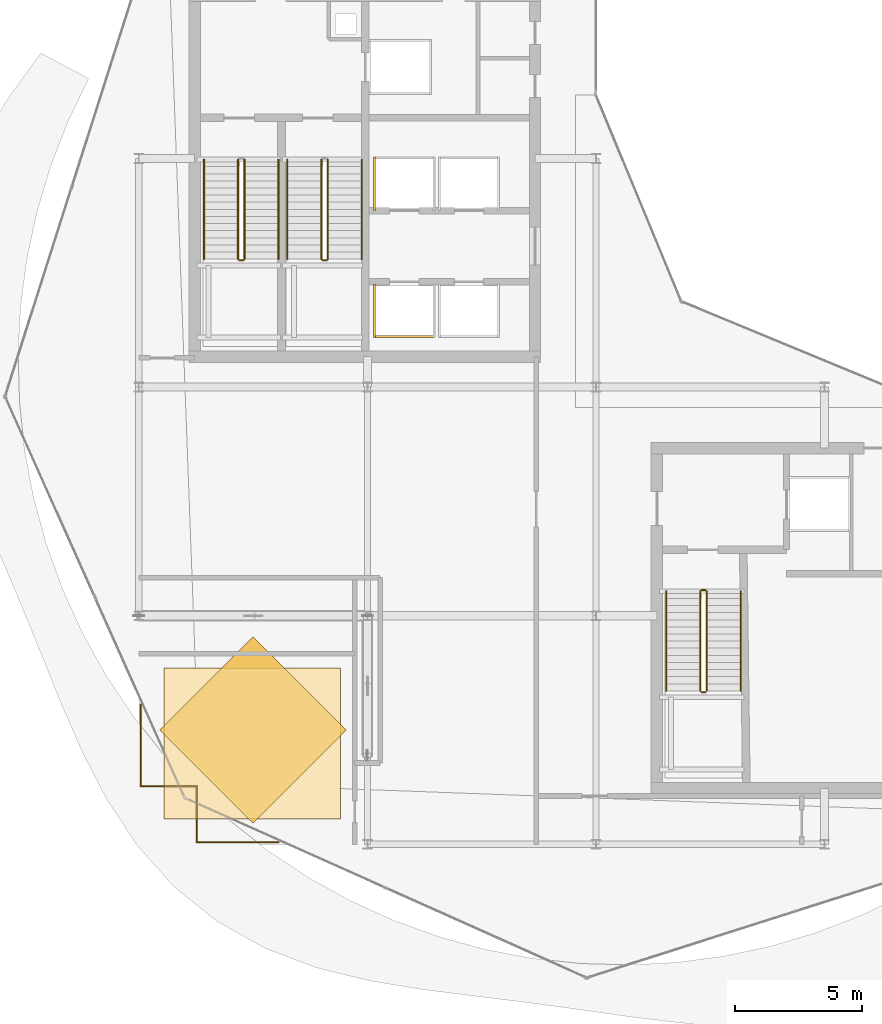
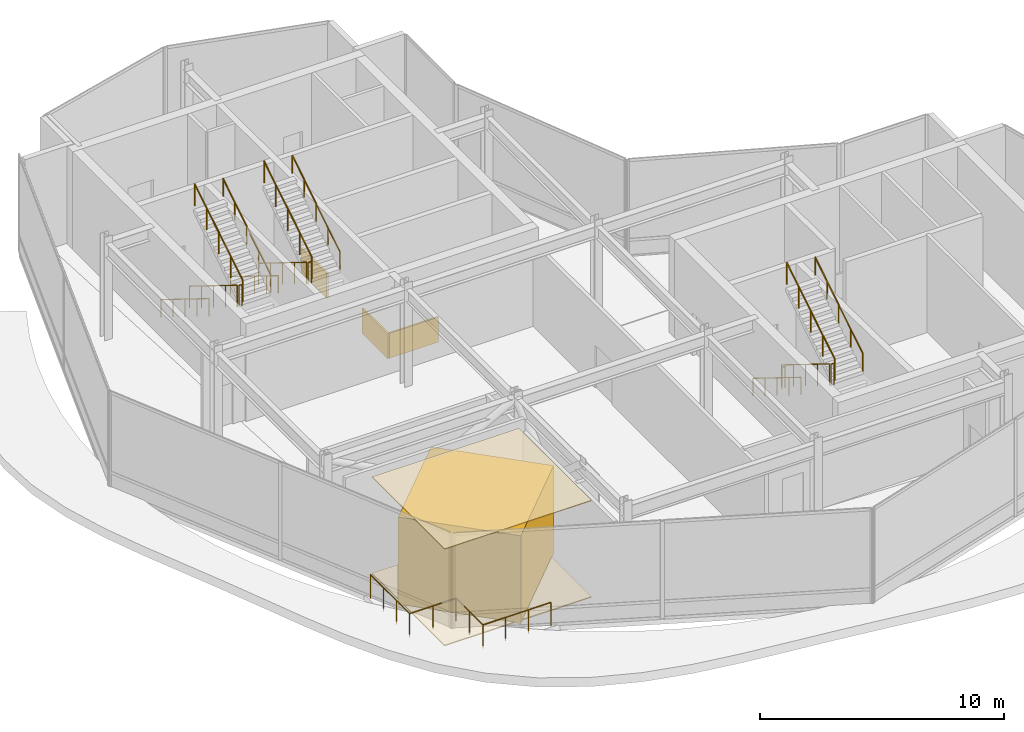
# One storey, part 19 of 21: 20 railings, 6 coverings.
"""IFC4 building model written with IfcOpenShell, lengths in metres."""

from ifc_helpers import new_model, si_unit, direction, frame, origin, origin_2d, place, context, subcontext, project, spatial, polyline, rectangle, circle, outline, extrude, material, layer, layer_set, type_object, element, save


model = new_model("IFC4")

# Units and contexts
model_context = context("Model", 3, precision=1e-05, world=origin(), true_north=direction((0.0, 1.0)))
body_context = subcontext(model_context, "Body", "Model", "MODEL_VIEW")
ifc_project = project(units=[si_unit("LENGTHUNIT", "METRE"), si_unit("AREAUNIT", "SQUARE_METRE"), si_unit("VOLUMEUNIT", "CUBIC_METRE"), si_unit("PLANEANGLEUNIT", "RADIAN"), si_unit("MASSUNIT", "GRAM", prefix="KILO")], contexts=[model_context])

# Site, building, storey
site_placement = place(None, origin())
site = spatial("IfcSite", under=ifc_project, at=site_placement, CompositionType="ELEMENT")
building_placement = place(site_placement, origin())
building = spatial("IfcBuilding", under=site, at=building_placement, Name="Solvaryn Broadcast Tower", CompositionType="ELEMENT")
storey_placement = place(building_placement, frame((0.0, 0.0, 297.39990234375)))
storey = spatial("IfcBuildingStorey", under=building, at=storey_placement, Name="L75", CompositionType="ELEMENT", Elevation=297.39990234375)

# Coverings
ifc_material_1 = material(Name="Micro-Perforated Acoustic Gypsum Ceiling", Category="concrete")
ifc_layer_1 = layer(ifc_material_1, 0.0400390625)
ifc_layer_set_1 = layer_set([ifc_layer_1], Name="CV-CEIL-ACOUSTIC")
covering_type_1 = type_object("IfcCoveringType", Name="CV-CEIL-ACOUSTIC", PredefinedType="CEILING", material=ifc_layer_set_1)
covering_1_placement = place(storey_placement, frame((0.0, 0.0, 4.830078125)))
element("IfcCovering", 1, at=covering_1_placement, inside=storey, type_object=covering_type_1, Name="L75 Room Acoustic Ceiling 1", PredefinedType="CEILING", context=body_context, shape_type="SweptSolid", body=[
    extrude(outline(polyline([(10.0, 10.0), (16.949951171875, 10.0), (16.949951171875, 15.949951171875), (10.0, 15.949951171875), (10.0, 10.0)])), origin(), (0.0, 0.0, 1.0), 0.0400390625),
])
ifc_material_2 = material(Name="Newsroom Raised Data Access Flooring", Category="steel")
ifc_layer_2 = layer(ifc_material_2, 0.050048828125)
ifc_layer_set_2 = layer_set([ifc_layer_2], Name="CV-FLOOR-RAISED")
covering_type_2 = type_object("IfcCoveringType", Name="CV-FLOOR-RAISED", PredefinedType="FLOORING", material=ifc_layer_set_2)
covering_2_placement = place(storey_placement, origin())
element("IfcCovering", 2, at=covering_2_placement, inside=storey, type_object=covering_type_2, Name="L75 Room Acoustic Floor Finish 1", PredefinedType="FLOORING", context=body_context, shape_type="SweptSolid", body=[
    extrude(outline(polyline([(10.0, 10.0), (16.949951171875, 10.0), (16.949951171875, 15.949951171875), (10.0, 15.949951171875), (10.0, 10.0)])), origin(), (0.0, 0.0, 1.0), 0.050048828125),
])
ifc_material_3 = material(Name="Fire-Rated Gypsum Shaftwall Liner", Category="concrete")
ifc_layer_3 = layer(ifc_material_3, 0.080078125)
ifc_layer_set_3 = layer_set([ifc_layer_3], Name="CV-SHAFT-LINER")
covering_type_3 = type_object("IfcCoveringType", Name="CV-SHAFT-LINER", PredefinedType="CLADDING", material=ifc_layer_set_3)
covering_3_placement = place(storey_placement, frame((19.449951171875, 28.985107421875, 0.0), z_axis=(0.0, 0.0, 1.0), x_axis=(1.0, 0.0, 0.0)))
element("IfcCovering", 3, at=covering_3_placement, inside=storey, type_object=covering_type_3, Name="L75 PH1 Hoistway Shaft Liner South", PredefinedType="CLADDING", context=body_context, shape_type="SweptSolid", body=[
    extrude(rectangle(XDim=2.409912109375, YDim=0.080078125, at=origin_2d()), origin(), (0.0, 0.0, 1.0), 1.25),
])
for number, where, z_axis, x_axis, name in (
    (4, (18.284912109375, 30.0, 0.0), (0.0, 0.0, 1.0), (1.0, 0.0, 0.0), "L75 PH1 Hoistway Shaft Liner West"),
    (5, (18.284912109375, 35.0, 0.0), (0.0, 0.0, 1.0), (1.0, 0.0, 0.0), "L75 PH3 Hoistway Shaft Liner West"),
):
    element("IfcCovering", number, at=place(storey_placement, frame(where, z_axis=z_axis, x_axis=x_axis)), inside=storey, type_object=covering_type_3, Name=name, PredefinedType="CLADDING", context=body_context, shape_type="SweptSolid", body=[
        extrude(rectangle(XDim=0.080078125, YDim=2.110107421875, at=origin_2d()), origin(), (0.0, 0.0, 1.0), 1.25),
    ])
ifc_material_4 = material(Name="Glazed Architectural Terracotta Rainscreen Cladding", Category="masonry")
ifc_layer_4 = layer(ifc_material_4, 0.280029296875)
ifc_layer_set_4 = layer_set([ifc_layer_4], Name="CV-TC-CLAD")
covering_type_4 = type_object("IfcCoveringType", Name="CV-TC-CLAD", PredefinedType="CLADDING", material=ifc_layer_set_4)
covering_4_placement = place(storey_placement, frame((13.5, 13.5, 0.000244140625), z_axis=(0.0, 0.0, 1.0), x_axis=(0.707106781187, 0.707106781187, 0.0)))
element("IfcCovering", 6, at=covering_4_placement, inside=storey, type_object=covering_type_4, Name="L75 Sculpted Tuned Mass Damper Block", PredefinedType="CLADDING", context=body_context, shape_type="SweptSolid", body=[
    extrude(rectangle(XDim=5.199951171875, YDim=5.199951171875, at=origin_2d()), origin(), (0.0, 0.0, 1.0), 4.39990234375),
])

# Railings
ifc_material_5 = material(Name="Stainless Steel and Laminated Glass Guard", Category="steel")
railing_type_1 = type_object("IfcRailingType", Name="RL-SKYG-1200", PredefinedType="BALUSTRADE", material=ifc_material_5)
railing_1_placement = place(storey_placement, frame((9.080078125, 14.5, 0.0)))
element("IfcRailing", 7, at=railing_1_placement, inside=storey, type_object=railing_type_1, Name="L75 Upper SW Corner Balustrade 1", PredefinedType="BALUSTRADE", context=body_context, shape_type="SweptSolid", body=[
    extrude(circle(Radius=0.02392578125, at=origin_2d()), frame((0.0, 0.0, 1.17578125), z_axis=(0.0, -1.0, 0.0), x_axis=(1.0, 0.0, 0.0)), (0.0, 0.0, 1.0), 3.219970703125),
    extrude(circle(Radius=0.02099609375, at=origin_2d()), origin(), (0.0, 0.0, 1.0), 1.15185546875),
    extrude(circle(Radius=0.02099609375, at=origin_2d()), frame((0.0, -1.0732421875, 0.0)), (0.0, 0.0, 1.0), 1.15185546875),
    extrude(circle(Radius=0.02099609375, at=origin_2d()), frame((0.0, -2.146728515625, 0.0)), (0.0, 0.0, 1.0), 1.15185546875),
    extrude(circle(Radius=0.02099609375, at=origin_2d()), frame((0.0, -3.219970703125, 0.0)), (0.0, 0.0, 1.0), 1.15185546875),
])
railing_2_placement = place(storey_placement, frame((9.080078125, 11.280029296875, 0.0)))
element("IfcRailing", 8, at=railing_2_placement, inside=storey, type_object=railing_type_1, Name="L75 Upper SW Corner Balustrade 2", PredefinedType="BALUSTRADE", context=body_context, shape_type="SweptSolid", body=[
    extrude(circle(Radius=0.02392578125, at=origin_2d()), frame((0.0, 0.0, 1.17578125), z_axis=(1.0, 0.0, 0.0), x_axis=(0.0, 1.0, 0.0)), (0.0, 0.0, 1.0), 2.199951171875),
    extrude(circle(Radius=0.02099609375, at=origin_2d()), origin(), (0.0, 0.0, 1.0), 1.15185546875),
    extrude(circle(Radius=0.02099609375, at=origin_2d()), frame((1.10009765625, 0.0, 0.0)), (0.0, 0.0, 1.0), 1.15185546875),
    extrude(circle(Radius=0.02099609375, at=origin_2d()), frame((2.199951171875, 0.0, 0.0)), (0.0, 0.0, 1.0), 1.15185546875),
])
railing_3_placement = place(storey_placement, frame((11.280029296875, 11.280029296875, 0.0)))
element("IfcRailing", 9, at=railing_3_placement, inside=storey, type_object=railing_type_1, Name="L75 Upper SW Corner Balustrade 3", PredefinedType="BALUSTRADE", context=body_context, shape_type="SweptSolid", body=[
    extrude(circle(Radius=0.02392578125, at=origin_2d()), frame((0.0, 0.0, 1.17578125), z_axis=(0.0, -1.0, 0.0), x_axis=(1.0, 0.0, 0.0)), (0.0, 0.0, 1.0), 2.199951171875),
    extrude(circle(Radius=0.02099609375, at=origin_2d()), origin(), (0.0, 0.0, 1.0), 1.15185546875),
    extrude(circle(Radius=0.02099609375, at=origin_2d()), frame((0.0, -1.10009765625, 0.0)), (0.0, 0.0, 1.0), 1.15185546875),
    extrude(circle(Radius=0.02099609375, at=origin_2d()), frame((0.0, -2.199951171875, 0.0)), (0.0, 0.0, 1.0), 1.15185546875),
])
railing_4_placement = place(storey_placement, frame((11.280029296875, 9.080078125, 0.0)))
element("IfcRailing", 10, at=railing_4_placement, inside=storey, type_object=railing_type_1, Name="L75 Upper SW Corner Balustrade 4", PredefinedType="BALUSTRADE", context=body_context, shape_type="SweptSolid", body=[
    extrude(circle(Radius=0.02392578125, at=origin_2d()), frame((0.0, 0.0, 1.17578125), z_axis=(1.0, 0.0, 0.0), x_axis=(0.0, 1.0, 0.0)), (0.0, 0.0, 1.0), 3.219970703125),
    extrude(circle(Radius=0.02099609375, at=origin_2d()), origin(), (0.0, 0.0, 1.0), 1.15185546875),
    extrude(circle(Radius=0.02099609375, at=origin_2d()), frame((1.0732421875, 0.0, 0.0)), (0.0, 0.0, 1.0), 1.15185546875),
    extrude(circle(Radius=0.02099609375, at=origin_2d()), frame((2.146728515625, 0.0, 0.0)), (0.0, 0.0, 1.0), 1.15185546875),
    extrude(circle(Radius=0.02099609375, at=origin_2d()), frame((3.219970703125, 0.0, 0.0)), (0.0, 0.0, 1.0), 1.15185546875),
])
ifc_material_6 = material(Name="Painted Steel Stair Well Guard", Category="steel")
railing_type_2 = type_object("IfcRailingType", Name="RL-STAIR-GUARD", PredefinedType="BALUSTRADE", material=ifc_material_6)
railing_5_placement = place(storey_placement, frame((12.909912109375, 35.9599609375, 0.17333984375)))
element("IfcRailing", 11, at=railing_5_placement, inside=storey, type_object=railing_type_2, Name="L75 ST1 stair guard 1", PredefinedType="BALUSTRADE", context=body_context, shape_type="SweptSolid", body=[
    extrude(circle(Radius=0.02392578125, at=origin_2d()), frame((0.0, 0.0, 1.076171875), z_axis=(0.0, -0.850251603719, 0.526376491091), x_axis=(1.0, 0.0, 0.0)), (0.0, 0.0, 1.0), 4.6103515625),
    extrude(circle(Radius=0.02099609375, at=origin_2d()), origin(), (0.0, 0.0, 1.0), 1.052001953125),
    extrude(circle(Radius=0.02099609375, at=origin_2d()), frame((0.0, -0.97998046875, 0.606689453125)), (0.0, 0.0, 1.0), 1.052001953125),
    extrude(circle(Radius=0.02099609375, at=origin_2d()), frame((0.0, -1.9599609375, 1.21337890625)), (0.0, 0.0, 1.0), 1.052001953125),
    extrude(circle(Radius=0.02099609375, at=origin_2d()), frame((0.0, -2.93994140625, 1.820068359375)), (0.0, 0.0, 1.0), 1.052001953125),
    extrude(circle(Radius=0.02099609375, at=origin_2d()), frame((0.0, -3.919921875, 2.4267578125)), (0.0, 0.0, 1.0), 1.052001953125),
])
railing_6_placement = place(storey_placement, frame((12.9599609375, 31.989990234375, 2.60009765625)))
element("IfcRailing", 12, at=railing_6_placement, inside=storey, type_object=railing_type_2, Name="L75 ST1 stair guard 2", PredefinedType="BALUSTRADE", context=body_context, shape_type="SweptSolid", body=[
    extrude(circle(Radius=0.02392578125, at=origin_2d()), frame((0.0, 0.0, 1.076171875), z_axis=(1.0, 0.0, 0.0), x_axis=(0.0, 1.0, 0.0)), (0.0, 0.0, 1.0), 0.150146484375),
    extrude(circle(Radius=0.02099609375, at=origin_2d()), origin(), (0.0, 0.0, 1.0), 1.052001953125),
    extrude(circle(Radius=0.02099609375, at=origin_2d()), frame((0.150146484375, 0.0, 0.0)), (0.0, 0.0, 1.0), 1.052001953125),
])
railing_7_placement = place(storey_placement, frame((13.159912109375, 32.0400390625, 2.7734375)))
element("IfcRailing", 13, at=railing_7_placement, inside=storey, type_object=railing_type_2, Name="L75 ST1 stair guard 3", PredefinedType="BALUSTRADE", context=body_context, shape_type="SweptSolid", body=[
    extrude(circle(Radius=0.02392578125, at=origin_2d()), frame((0.0, 0.0, 1.076171875), z_axis=(0.0, 0.850251603719, 0.526376491091), x_axis=(-1.0, 0.0, 0.0)), (0.0, 0.0, 1.0), 4.6103515625),
    extrude(circle(Radius=0.02099609375, at=origin_2d()), origin(), (0.0, 0.0, 1.0), 1.052001953125),
    extrude(circle(Radius=0.02099609375, at=origin_2d()), frame((0.0, 0.97998046875, 0.606689453125)), (0.0, 0.0, 1.0), 1.052001953125),
    extrude(circle(Radius=0.02099609375, at=origin_2d()), frame((0.0, 1.9599609375, 1.21337890625)), (0.0, 0.0, 1.0), 1.052001953125),
    extrude(circle(Radius=0.02099609375, at=origin_2d()), frame((0.0, 2.93994140625, 1.820068359375)), (0.0, 0.0, 1.0), 1.052001953125),
    extrude(circle(Radius=0.02099609375, at=origin_2d()), frame((0.0, 3.919921875, 2.4267578125)), (0.0, 0.0, 1.0), 1.052001953125),
])
railing_8_placement = place(storey_placement, frame((16.18994140625, 35.9599609375, 0.17333984375)))
element("IfcRailing", 14, at=railing_8_placement, inside=storey, type_object=railing_type_2, Name="L75 ST2 stair guard 1", PredefinedType="BALUSTRADE", context=body_context, shape_type="SweptSolid", body=[
    extrude(circle(Radius=0.02392578125, at=origin_2d()), frame((0.0, 0.0, 1.076171875), z_axis=(0.0, -0.850251603719, 0.526376491091), x_axis=(1.0, 0.0, 0.0)), (0.0, 0.0, 1.0), 4.6103515625),
    extrude(circle(Radius=0.02099609375, at=origin_2d()), origin(), (0.0, 0.0, 1.0), 1.052001953125),
    extrude(circle(Radius=0.02099609375, at=origin_2d()), frame((0.0, -0.97998046875, 0.606689453125)), (0.0, 0.0, 1.0), 1.052001953125),
    extrude(circle(Radius=0.02099609375, at=origin_2d()), frame((0.0, -1.9599609375, 1.21337890625)), (0.0, 0.0, 1.0), 1.052001953125),
    extrude(circle(Radius=0.02099609375, at=origin_2d()), frame((0.0, -2.93994140625, 1.820068359375)), (0.0, 0.0, 1.0), 1.052001953125),
    extrude(circle(Radius=0.02099609375, at=origin_2d()), frame((0.0, -3.919921875, 2.4267578125)), (0.0, 0.0, 1.0), 1.052001953125),
])
railing_9_placement = place(storey_placement, frame((16.239990234375, 31.989990234375, 2.60009765625)))
element("IfcRailing", 15, at=railing_9_placement, inside=storey, type_object=railing_type_2, Name="L75 ST2 stair guard 2", PredefinedType="BALUSTRADE", context=body_context, shape_type="SweptSolid", body=[
    extrude(circle(Radius=0.02392578125, at=origin_2d()), frame((0.0, 0.0, 1.076171875), z_axis=(1.0, 0.0, 0.0), x_axis=(0.0, 1.0, 0.0)), (0.0, 0.0, 1.0), 0.14990234375),
    extrude(circle(Radius=0.02099609375, at=origin_2d()), origin(), (0.0, 0.0, 1.0), 1.052001953125),
    extrude(circle(Radius=0.02099609375, at=origin_2d()), frame((0.14990234375, 0.0, 0.0)), (0.0, 0.0, 1.0), 1.052001953125),
])
railing_10_placement = place(storey_placement, frame((16.43994140625, 32.0400390625, 2.7734375)))
element("IfcRailing", 16, at=railing_10_placement, inside=storey, type_object=railing_type_2, Name="L75 ST2 stair guard 3", PredefinedType="BALUSTRADE", context=body_context, shape_type="SweptSolid", body=[
    extrude(circle(Radius=0.02392578125, at=origin_2d()), frame((0.0, 0.0, 1.076171875), z_axis=(0.0, 0.850251603719, 0.526376491091), x_axis=(-1.0, 0.0, 0.0)), (0.0, 0.0, 1.0), 4.6103515625),
    extrude(circle(Radius=0.02099609375, at=origin_2d()), origin(), (0.0, 0.0, 1.0), 1.052001953125),
    extrude(circle(Radius=0.02099609375, at=origin_2d()), frame((0.0, 0.97998046875, 0.606689453125)), (0.0, 0.0, 1.0), 1.052001953125),
    extrude(circle(Radius=0.02099609375, at=origin_2d()), frame((0.0, 1.9599609375, 1.21337890625)), (0.0, 0.0, 1.0), 1.052001953125),
    extrude(circle(Radius=0.02099609375, at=origin_2d()), frame((0.0, 2.93994140625, 1.820068359375)), (0.0, 0.0, 1.0), 1.052001953125),
    extrude(circle(Radius=0.02099609375, at=origin_2d()), frame((0.0, 3.919921875, 2.4267578125)), (0.0, 0.0, 1.0), 1.052001953125),
])
railing_11_placement = place(storey_placement, frame((31.110107421875, 18.9599609375, 0.17333984375)))
element("IfcRailing", 17, at=railing_11_placement, inside=storey, type_object=railing_type_2, Name="L75 ST3 stair guard 1", PredefinedType="BALUSTRADE", context=body_context, shape_type="SweptSolid", body=[
    extrude(circle(Radius=0.02392578125, at=origin_2d()), frame((0.0, 0.0, 1.076171875), z_axis=(0.0, -0.850251603719, 0.526376491091), x_axis=(1.0, 0.0, 0.0)), (0.0, 0.0, 1.0), 4.6103515625),
    extrude(circle(Radius=0.02099609375, at=origin_2d()), origin(), (0.0, 0.0, 1.0), 1.052001953125),
    extrude(circle(Radius=0.02099609375, at=origin_2d()), frame((0.0, -0.97998046875, 0.606689453125)), (0.0, 0.0, 1.0), 1.052001953125),
    extrude(circle(Radius=0.02099609375, at=origin_2d()), frame((0.0, -1.9599609375, 1.21337890625)), (0.0, 0.0, 1.0), 1.052001953125),
    extrude(circle(Radius=0.02099609375, at=origin_2d()), frame((0.0, -2.93994140625, 1.820068359375)), (0.0, 0.0, 1.0), 1.052001953125),
    extrude(circle(Radius=0.02099609375, at=origin_2d()), frame((0.0, -3.919921875, 2.4267578125)), (0.0, 0.0, 1.0), 1.052001953125),
])
railing_12_placement = place(storey_placement, frame((31.159912109375, 14.989990234375, 2.60009765625)))
element("IfcRailing", 18, at=railing_12_placement, inside=storey, type_object=railing_type_2, Name="L75 ST3 stair guard 2", PredefinedType="BALUSTRADE", context=body_context, shape_type="SweptSolid", body=[
    extrude(circle(Radius=0.02392578125, at=origin_2d()), frame((0.0, 0.0, 1.076171875), z_axis=(1.0, 0.0, 0.0), x_axis=(0.0, 1.0, 0.0)), (0.0, 0.0, 1.0), 0.150146484375),
    extrude(circle(Radius=0.02099609375, at=origin_2d()), origin(), (0.0, 0.0, 1.0), 1.052001953125),
    extrude(circle(Radius=0.02099609375, at=origin_2d()), frame((0.150146484375, 0.0, 0.0)), (0.0, 0.0, 1.0), 1.052001953125),
])
railing_13_placement = place(storey_placement, frame((31.360107421875, 15.0400390625, 2.7734375)))
element("IfcRailing", 19, at=railing_13_placement, inside=storey, type_object=railing_type_2, Name="L75 ST3 stair guard 3", PredefinedType="BALUSTRADE", context=body_context, shape_type="SweptSolid", body=[
    extrude(circle(Radius=0.02392578125, at=origin_2d()), frame((0.0, 0.0, 1.076171875), z_axis=(0.0, 0.850251603719, 0.526376491091), x_axis=(-1.0, 0.0, 0.0)), (0.0, 0.0, 1.0), 4.6103515625),
    extrude(circle(Radius=0.02099609375, at=origin_2d()), origin(), (0.0, 0.0, 1.0), 1.052001953125),
    extrude(circle(Radius=0.02099609375, at=origin_2d()), frame((0.0, 0.97998046875, 0.606689453125)), (0.0, 0.0, 1.0), 1.052001953125),
    extrude(circle(Radius=0.02099609375, at=origin_2d()), frame((0.0, 1.9599609375, 1.21337890625)), (0.0, 0.0, 1.0), 1.052001953125),
    extrude(circle(Radius=0.02099609375, at=origin_2d()), frame((0.0, 2.93994140625, 1.820068359375)), (0.0, 0.0, 1.0), 1.052001953125),
    extrude(circle(Radius=0.02099609375, at=origin_2d()), frame((0.0, 3.919921875, 2.4267578125)), (0.0, 0.0, 1.0), 1.052001953125),
])
railing_14_placement = place(storey_placement, frame((31.159912109375, 19.010009765625, 0.0)))
element("IfcRailing", 20, at=railing_14_placement, inside=storey, type_object=railing_type_2, Name="L75 ST3 stair guard 4", PredefinedType="BALUSTRADE", context=body_context, shape_type="SweptSolid", body=[
    extrude(circle(Radius=0.02392578125, at=origin_2d()), frame((0.0, 0.0, 1.076171875), z_axis=(1.0, 0.0, 0.0), x_axis=(0.0, 1.0, 0.0)), (0.0, 0.0, 1.0), 0.150146484375),
    extrude(circle(Radius=0.02099609375, at=origin_2d()), origin(), (0.0, 0.0, 1.0), 1.052001953125),
    extrude(circle(Radius=0.02099609375, at=origin_2d()), frame((0.150146484375, 0.0, 0.0)), (0.0, 0.0, 1.0), 1.052001953125),
])
ifc_material_7 = material(Name="Brushed Stainless Steel Tubular Handrail", Category="steel")
railing_type_3 = type_object("IfcRailingType", Name="RL-STAIR-HANDRAIL", PredefinedType="HANDRAIL", material=ifc_material_7)
railing_15_placement = place(storey_placement, frame((11.570068359375, 35.9599609375, 0.17333984375)))
element("IfcRailing", 21, at=railing_15_placement, inside=storey, type_object=railing_type_3, Name="L75 ST1 stair handrail 1", PredefinedType="HANDRAIL", context=body_context, shape_type="SweptSolid", body=[
    extrude(circle(Radius=0.02392578125, at=origin_2d()), frame((0.0, 0.0, 0.8759765625), z_axis=(0.0, -0.850251603719, 0.526376491091), x_axis=(1.0, 0.0, 0.0)), (0.0, 0.0, 1.0), 4.6103515625),
    extrude(circle(Radius=0.02099609375, at=origin_2d()), origin(), (0.0, 0.0, 1.0), 0.851806640625),
    extrude(circle(Radius=0.02099609375, at=origin_2d()), frame((0.0, -0.97998046875, 0.606689453125)), (0.0, 0.0, 1.0), 0.851806640625),
    extrude(circle(Radius=0.02099609375, at=origin_2d()), frame((0.0, -1.9599609375, 1.21337890625)), (0.0, 0.0, 1.0), 0.851806640625),
    extrude(circle(Radius=0.02099609375, at=origin_2d()), frame((0.0, -2.93994140625, 1.820068359375)), (0.0, 0.0, 1.0), 0.851806640625),
    extrude(circle(Radius=0.02099609375, at=origin_2d()), frame((0.0, -3.919921875, 2.4267578125)), (0.0, 0.0, 1.0), 0.851806640625),
])
railing_16_placement = place(storey_placement, frame((14.5, 32.0400390625, 2.7734375)))
element("IfcRailing", 22, at=railing_16_placement, inside=storey, type_object=railing_type_3, Name="L75 ST1 stair handrail 2", PredefinedType="HANDRAIL", context=body_context, shape_type="SweptSolid", body=[
    extrude(circle(Radius=0.02392578125, at=origin_2d()), frame((0.0, 0.0, 0.8759765625), z_axis=(0.0, 0.850251603719, 0.526376491091), x_axis=(-1.0, 0.0, 0.0)), (0.0, 0.0, 1.0), 4.6103515625),
    extrude(circle(Radius=0.02099609375, at=origin_2d()), origin(), (0.0, 0.0, 1.0), 0.851806640625),
    extrude(circle(Radius=0.02099609375, at=origin_2d()), frame((0.0, 0.97998046875, 0.606689453125)), (0.0, 0.0, 1.0), 0.851806640625),
    extrude(circle(Radius=0.02099609375, at=origin_2d()), frame((0.0, 1.9599609375, 1.21337890625)), (0.0, 0.0, 1.0), 0.851806640625),
    extrude(circle(Radius=0.02099609375, at=origin_2d()), frame((0.0, 2.93994140625, 1.820068359375)), (0.0, 0.0, 1.0), 0.851806640625),
    extrude(circle(Radius=0.02099609375, at=origin_2d()), frame((0.0, 3.919921875, 2.4267578125)), (0.0, 0.0, 1.0), 0.851806640625),
])
railing_17_placement = place(storey_placement, frame((14.85009765625, 35.9599609375, 0.17333984375)))
element("IfcRailing", 23, at=railing_17_placement, inside=storey, type_object=railing_type_3, Name="L75 ST2 stair handrail 1", PredefinedType="HANDRAIL", context=body_context, shape_type="SweptSolid", body=[
    extrude(circle(Radius=0.02392578125, at=origin_2d()), frame((0.0, 0.0, 0.8759765625), z_axis=(0.0, -0.850251603719, 0.526376491091), x_axis=(1.0, 0.0, 0.0)), (0.0, 0.0, 1.0), 4.6103515625),
    extrude(circle(Radius=0.02099609375, at=origin_2d()), origin(), (0.0, 0.0, 1.0), 0.851806640625),
    extrude(circle(Radius=0.02099609375, at=origin_2d()), frame((0.0, -0.97998046875, 0.606689453125)), (0.0, 0.0, 1.0), 0.851806640625),
    extrude(circle(Radius=0.02099609375, at=origin_2d()), frame((0.0, -1.9599609375, 1.21337890625)), (0.0, 0.0, 1.0), 0.851806640625),
    extrude(circle(Radius=0.02099609375, at=origin_2d()), frame((0.0, -2.93994140625, 1.820068359375)), (0.0, 0.0, 1.0), 0.851806640625),
    extrude(circle(Radius=0.02099609375, at=origin_2d()), frame((0.0, -3.919921875, 2.4267578125)), (0.0, 0.0, 1.0), 0.851806640625),
])
railing_18_placement = place(storey_placement, frame((17.780029296875, 32.0400390625, 2.7734375)))
element("IfcRailing", 24, at=railing_18_placement, inside=storey, type_object=railing_type_3, Name="L75 ST2 stair handrail 2", PredefinedType="HANDRAIL", context=body_context, shape_type="SweptSolid", body=[
    extrude(circle(Radius=0.02392578125, at=origin_2d()), frame((0.0, 0.0, 0.8759765625), z_axis=(0.0, 0.850251603719, 0.526376491091), x_axis=(-1.0, 0.0, 0.0)), (0.0, 0.0, 1.0), 4.6103515625),
    extrude(circle(Radius=0.02099609375, at=origin_2d()), origin(), (0.0, 0.0, 1.0), 0.851806640625),
    extrude(circle(Radius=0.02099609375, at=origin_2d()), frame((0.0, 0.97998046875, 0.606689453125)), (0.0, 0.0, 1.0), 0.851806640625),
    extrude(circle(Radius=0.02099609375, at=origin_2d()), frame((0.0, 1.9599609375, 1.21337890625)), (0.0, 0.0, 1.0), 0.851806640625),
    extrude(circle(Radius=0.02099609375, at=origin_2d()), frame((0.0, 2.93994140625, 1.820068359375)), (0.0, 0.0, 1.0), 0.851806640625),
    extrude(circle(Radius=0.02099609375, at=origin_2d()), frame((0.0, 3.919921875, 2.4267578125)), (0.0, 0.0, 1.0), 0.851806640625),
])
railing_19_placement = place(storey_placement, frame((29.77001953125, 18.9599609375, 0.17333984375)))
element("IfcRailing", 25, at=railing_19_placement, inside=storey, type_object=railing_type_3, Name="L75 ST3 stair handrail 1", PredefinedType="HANDRAIL", context=body_context, shape_type="SweptSolid", body=[
    extrude(circle(Radius=0.02392578125, at=origin_2d()), frame((0.0, 0.0, 0.8759765625), z_axis=(0.0, -0.850251603719, 0.526376491091), x_axis=(1.0, 0.0, 0.0)), (0.0, 0.0, 1.0), 4.6103515625),
    extrude(circle(Radius=0.02099609375, at=origin_2d()), origin(), (0.0, 0.0, 1.0), 0.851806640625),
    extrude(circle(Radius=0.02099609375, at=origin_2d()), frame((0.0, -0.97998046875, 0.606689453125)), (0.0, 0.0, 1.0), 0.851806640625),
    extrude(circle(Radius=0.02099609375, at=origin_2d()), frame((0.0, -1.9599609375, 1.21337890625)), (0.0, 0.0, 1.0), 0.851806640625),
    extrude(circle(Radius=0.02099609375, at=origin_2d()), frame((0.0, -2.93994140625, 1.820068359375)), (0.0, 0.0, 1.0), 0.851806640625),
    extrude(circle(Radius=0.02099609375, at=origin_2d()), frame((0.0, -3.919921875, 2.4267578125)), (0.0, 0.0, 1.0), 0.851806640625),
])
railing_20_placement = place(storey_placement, frame((32.699951171875, 15.0400390625, 2.7734375)))
element("IfcRailing", 26, at=railing_20_placement, inside=storey, type_object=railing_type_3, Name="L75 ST3 stair handrail 2", PredefinedType="HANDRAIL", context=body_context, shape_type="SweptSolid", body=[
    extrude(circle(Radius=0.02392578125, at=origin_2d()), frame((0.0, 0.0, 0.8759765625), z_axis=(0.0, 0.850251603719, 0.526376491091), x_axis=(-1.0, 0.0, 0.0)), (0.0, 0.0, 1.0), 4.6103515625),
    extrude(circle(Radius=0.02099609375, at=origin_2d()), origin(), (0.0, 0.0, 1.0), 0.851806640625),
    extrude(circle(Radius=0.02099609375, at=origin_2d()), frame((0.0, 0.97998046875, 0.606689453125)), (0.0, 0.0, 1.0), 0.851806640625),
    extrude(circle(Radius=0.02099609375, at=origin_2d()), frame((0.0, 1.9599609375, 1.21337890625)), (0.0, 0.0, 1.0), 0.851806640625),
    extrude(circle(Radius=0.02099609375, at=origin_2d()), frame((0.0, 2.93994140625, 1.820068359375)), (0.0, 0.0, 1.0), 0.851806640625),
    extrude(circle(Radius=0.02099609375, at=origin_2d()), frame((0.0, 3.919921875, 2.4267578125)), (0.0, 0.0, 1.0), 0.851806640625),
])

save(model, "model.ifc")
